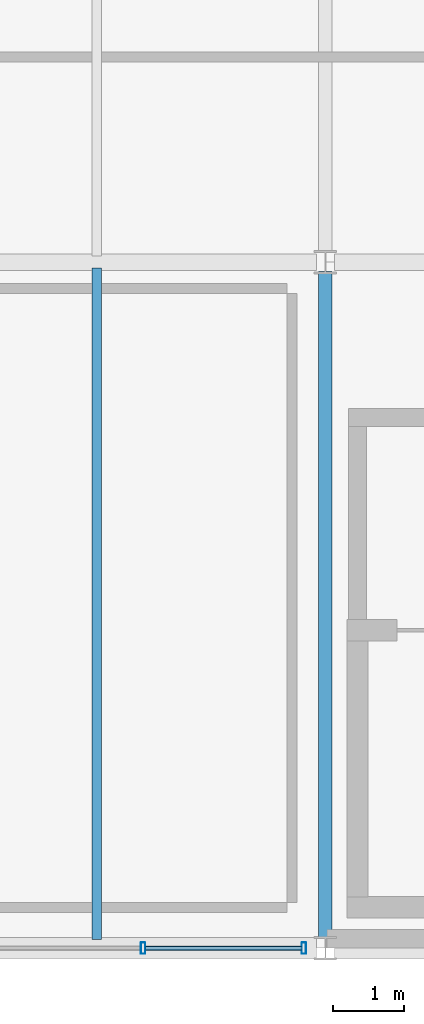
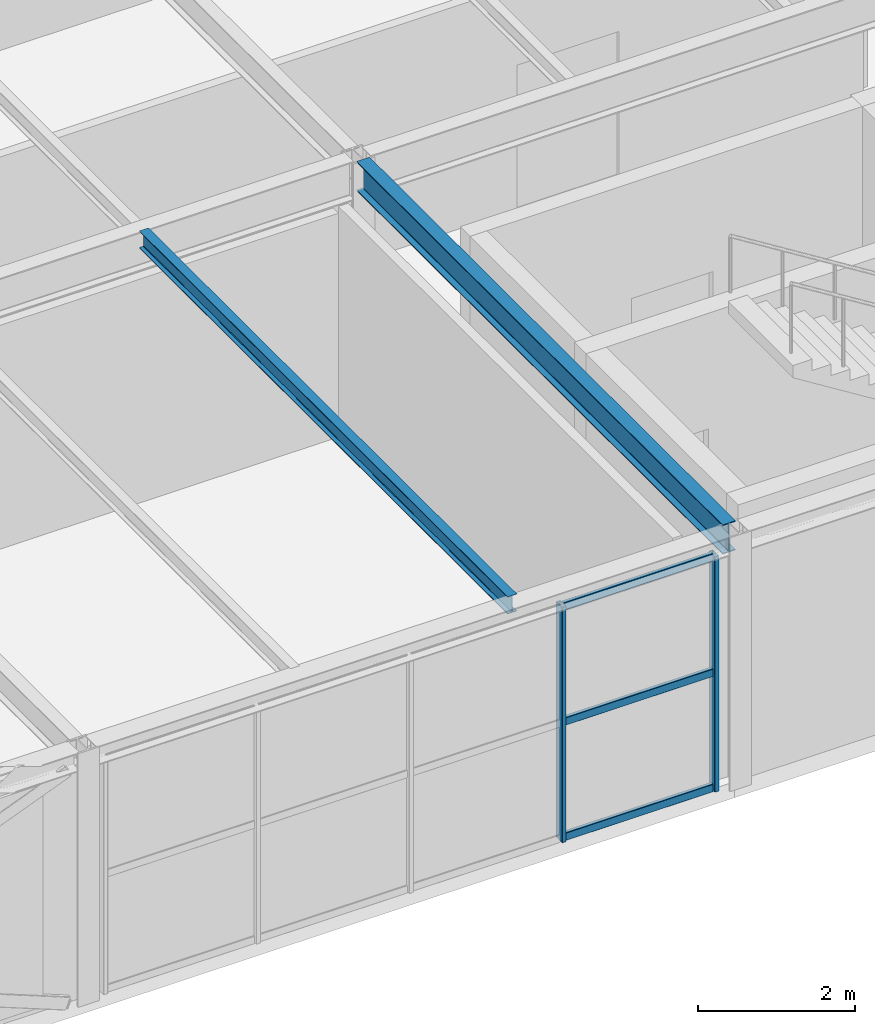
# One storey, part 9 of 50: 5 members, 2 beams, 1 element without a shape of its own.
"""IFC4 building model written with IfcOpenShell, lengths in metres."""

from ifc_helpers import new_model, si_unit, direction, frame, origin, origin_2d, place, context, subcontext, project, spatial, hollow_rectangle, i_section, extrude, material, material_profile, profile_set, type_object, element, aggregate, save


model = new_model("IFC4")

# Units and contexts
model_context = context("Model", 3, precision=1e-05, world=origin(), true_north=direction((0.0, 1.0)))
body_context = subcontext(model_context, "Body", "Model", "MODEL_VIEW")
ifc_project = project(units=[si_unit("LENGTHUNIT", "METRE"), si_unit("AREAUNIT", "SQUARE_METRE"), si_unit("VOLUMEUNIT", "CUBIC_METRE"), si_unit("PLANEANGLEUNIT", "RADIAN"), si_unit("MASSUNIT", "GRAM", prefix="KILO")], contexts=[model_context])

# Site, building, storey
site_placement = place(None, origin())
site = spatial("IfcSite", under=ifc_project, at=site_placement, CompositionType="ELEMENT")
building_placement = place(site_placement, origin())
building = spatial("IfcBuilding", under=site, at=building_placement, Name="Coralgate Yard Interchange", CompositionType="ELEMENT")
storey_placement = place(building_placement, frame((0.0, 0.0, 14.699951171875)))
storey = spatial("IfcBuildingStorey", under=building, at=storey_placement, Name="L03", CompositionType="ELEMENT", Elevation=14.699951171875)

# Beams
ifc_material_1 = material(Name="Structural steel S355J2", Category="steel")
ifc_material_profile_1 = material_profile(ifc_material_1, i_section(OverallWidth=0.1904296875, OverallDepth=0.45703125, WebThickness=0.009033203125, FlangeThickness=0.014404296875, FilletRadius=0.01025390625, at=origin_2d()), Name="UB 457x191x74")
ifc_profile_set_1 = profile_set([ifc_material_profile_1], Name="Structural steel S355J2")
beam_type_1 = type_object("IfcBeamType", Name="BM-SB-2", PredefinedType="BEAM", material=ifc_profile_set_1)
beam_1_placement = place(storey_placement, frame((19.199951171875, 0.133544921875, 3.721435546875), z_axis=(0.0, 1.0, 0.0), x_axis=(-1.0, 0.0, 0.0)))
element("IfcBeam", 1, at=beam_1_placement, inside=storey, type_object=beam_type_1, Name="L03 primary grid girder X2 Y0-1", PredefinedType="BEAM", context=body_context, shape_type="SweptSolid", body=[
    extrude(i_section(OverallWidth=0.1904296875, OverallDepth=0.45703125, WebThickness=0.009033203125, FlangeThickness=0.014404296875, FilletRadius=0.01025390625, at=origin_2d()), origin(), (0.0, 0.0, 1.0), 9.3330078125),
])
ifc_material_profile_2 = material_profile(ifc_material_1, i_section(OverallWidth=0.135009765625, OverallDepth=0.27001953125, WebThickness=0.006591796875, FlangeThickness=0.01025390625, FilletRadius=0.014892578125, at=origin_2d()), Name="IPE 270")
ifc_profile_set_2 = profile_set([ifc_material_profile_2], Name="Structural steel S355J2")
beam_type_2 = type_object("IfcBeamType", Name="BM-SJ-3", PredefinedType="JOIST", material=ifc_profile_set_2)
beam_2_placement = place(storey_placement, frame((16.0, 0.1201171875, 3.81494140625), z_axis=(0.0, 1.0, 0.0), x_axis=(-1.0, 0.0, 0.0)))
element("IfcBeam", 2, at=beam_2_placement, inside=storey, type_object=beam_type_2, Name="L03 composite floor joist 1-0-2", PredefinedType="JOIST", context=body_context, shape_type="SweptSolid", body=[
    extrude(i_section(OverallWidth=0.135009765625, OverallDepth=0.27001953125, WebThickness=0.006591796875, FlangeThickness=0.01025390625, FilletRadius=0.014892578125, at=origin_2d()), origin(), (0.0, 0.0, 1.0), 9.395751953125),
])

# Curtain wall, members
ifc_material_2 = material(Name="Anodised coastal aluminium and solar-control low-E glass", Category="aluminium")
curtain_wall_type = type_object("IfcCurtainWallType", Name="CW-CW-L03-A", PredefinedType="NOTDEFINED", material=ifc_material_2)
curtain_wall_placement = place(storey_placement, origin())
curtain_wall = element("IfcCurtainWall", 3, at=curtain_wall_placement, inside=storey, type_object=curtain_wall_type, Name="L03 unitised curtain wall CW-L03-S-01-00", PredefinedType="NOTDEFINED")
ifc_material_3 = material(Name="Anodised coastal aluminium 6063-T6", Category="aluminium")
ifc_material_profile_3 = material_profile(ifc_material_3, hollow_rectangle(XDim=0.06494140625, YDim=0.159912109375, WallThickness=0.00390625, InnerFilletRadius=0.00390625, OuterFilletRadius=0.008056640625, at=origin_2d()), Name="ALU 65x160x4")
ifc_profile_set_3 = profile_set([ifc_material_profile_3], Name="Anodised coastal aluminium 6063-T6")
member_type_1 = type_object("IfcMemberType", Name="MB-MUL-160", PredefinedType="MULLION", material=ifc_profile_set_3)
member_1_placement = place(storey_placement, frame((18.89990234375, 0.0, 0.0), z_axis=(0.0, 0.0, 1.0), x_axis=(1.0, 0.0, 0.0)))
member_1 = element("IfcMember", 4, at=member_1_placement, type_object=member_type_1, Name="CW-L03-S-01-00 vertical mullion 1", PredefinedType="MULLION", context=body_context, shape_type="SweptSolid", body=[
    extrude(hollow_rectangle(XDim=0.06494140625, YDim=0.159912109375, WallThickness=0.00390625, InnerFilletRadius=0.00390625, OuterFilletRadius=0.008056640625, at=origin_2d()), origin(), (0.0, 0.0, 1.0), 3.66015625),
])
member_2_placement = place(storey_placement, frame((16.64990234375, 0.0, 0.0), z_axis=(0.0, 0.0, 1.0), x_axis=(1.0, 0.0, 0.0)))
member_2 = element("IfcMember", 5, at=member_2_placement, type_object=member_type_1, Name="CW-L03-S-01-00 vertical mullion 2", PredefinedType="MULLION", context=body_context, shape_type="SweptSolid", body=[
    extrude(hollow_rectangle(XDim=0.06494140625, YDim=0.159912109375, WallThickness=0.00390625, InnerFilletRadius=0.00390625, OuterFilletRadius=0.008056640625, at=origin_2d()), origin(), (0.0, 0.0, 1.0), 3.66015625),
])
ifc_material_profile_4 = material_profile(ifc_material_3, hollow_rectangle(XDim=0.06005859375, YDim=0.1201171875, WallThickness=0.00341796875, InnerFilletRadius=0.00341796875, OuterFilletRadius=0.007080078125, at=origin_2d()), Name="ALU 60x120x3.5")
ifc_profile_set_4 = profile_set([ifc_material_profile_4], Name="Anodised coastal aluminium 6063-T6")
member_type_2 = type_object("IfcMemberType", Name="MB-TRN-120", PredefinedType="USERDEFINED", material=ifc_profile_set_4)
member_3_placement = place(storey_placement, frame((18.8701171875, 0.0, 0.03515625), z_axis=(-1.0, 0.0, 0.0), x_axis=(0.0, -1.0, 0.0)))
member_3 = element("IfcMember", 6, at=member_3_placement, type_object=member_type_2, Name="CW-L03-S-01-00 horizontal transom 1-1", ObjectType="TRANSOM", PredefinedType="USERDEFINED", context=body_context, shape_type="SweptSolid", body=[
    extrude(hollow_rectangle(XDim=0.06005859375, YDim=0.1201171875, WallThickness=0.00341796875, InnerFilletRadius=0.00341796875, OuterFilletRadius=0.007080078125, at=origin_2d()), origin(), (0.0, 0.0, 1.0), 2.190185546875),
])
member_4_placement = place(storey_placement, frame((18.8701171875, 0.0, 1.830078125), z_axis=(-1.0, 0.0, 0.0), x_axis=(0.0, -1.0, 0.0)))
member_4 = element("IfcMember", 7, at=member_4_placement, type_object=member_type_2, Name="CW-L03-S-01-00 horizontal transom 1-2", ObjectType="TRANSOM", PredefinedType="USERDEFINED", context=body_context, shape_type="SweptSolid", body=[
    extrude(hollow_rectangle(XDim=0.06005859375, YDim=0.1201171875, WallThickness=0.00341796875, InnerFilletRadius=0.00341796875, OuterFilletRadius=0.007080078125, at=origin_2d()), origin(), (0.0, 0.0, 1.0), 2.190185546875),
])
member_5_placement = place(storey_placement, frame((18.8701171875, 0.0, 3.625), z_axis=(-1.0, 0.0, 0.0), x_axis=(0.0, -1.0, 0.0)))
member_5 = element("IfcMember", 8, at=member_5_placement, type_object=member_type_2, Name="CW-L03-S-01-00 horizontal transom 1-3", ObjectType="TRANSOM", PredefinedType="USERDEFINED", context=body_context, shape_type="SweptSolid", body=[
    extrude(hollow_rectangle(XDim=0.06005859375, YDim=0.1201171875, WallThickness=0.00341796875, InnerFilletRadius=0.00341796875, OuterFilletRadius=0.007080078125, at=origin_2d()), origin(), (0.0, 0.0, 1.0), 2.190185546875),
])
aggregate(curtain_wall, [member_1, member_2, member_3, member_4, member_5])

save(model, "model.ifc")
